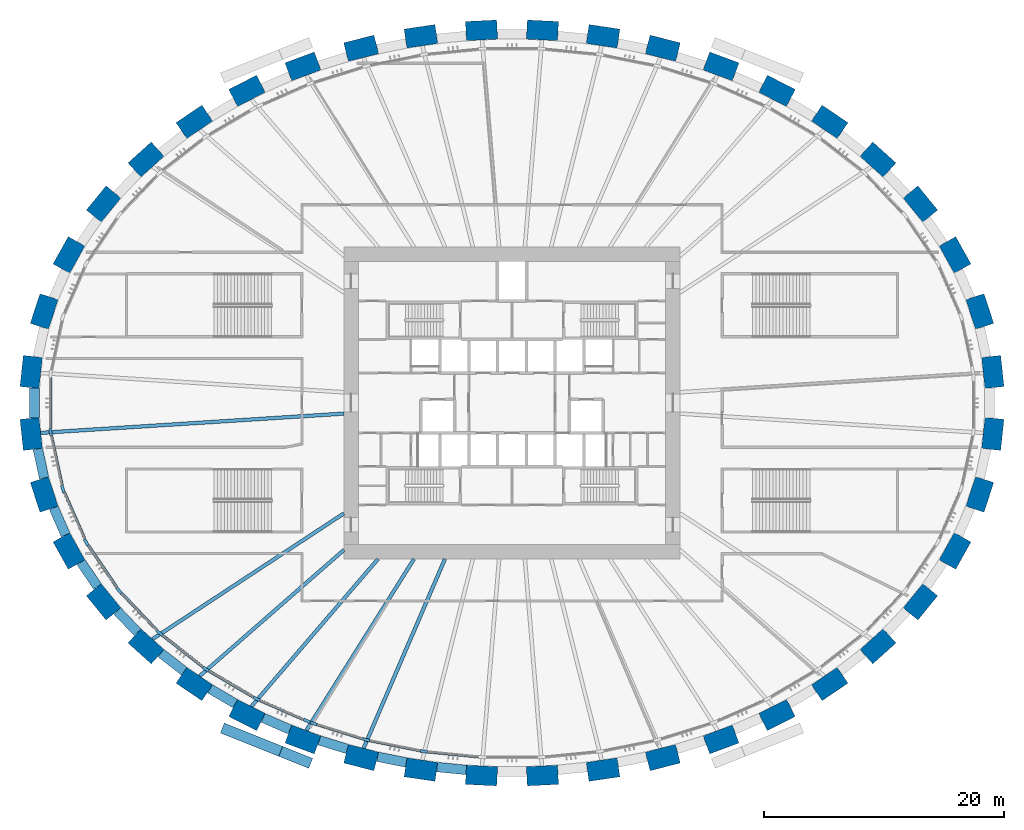
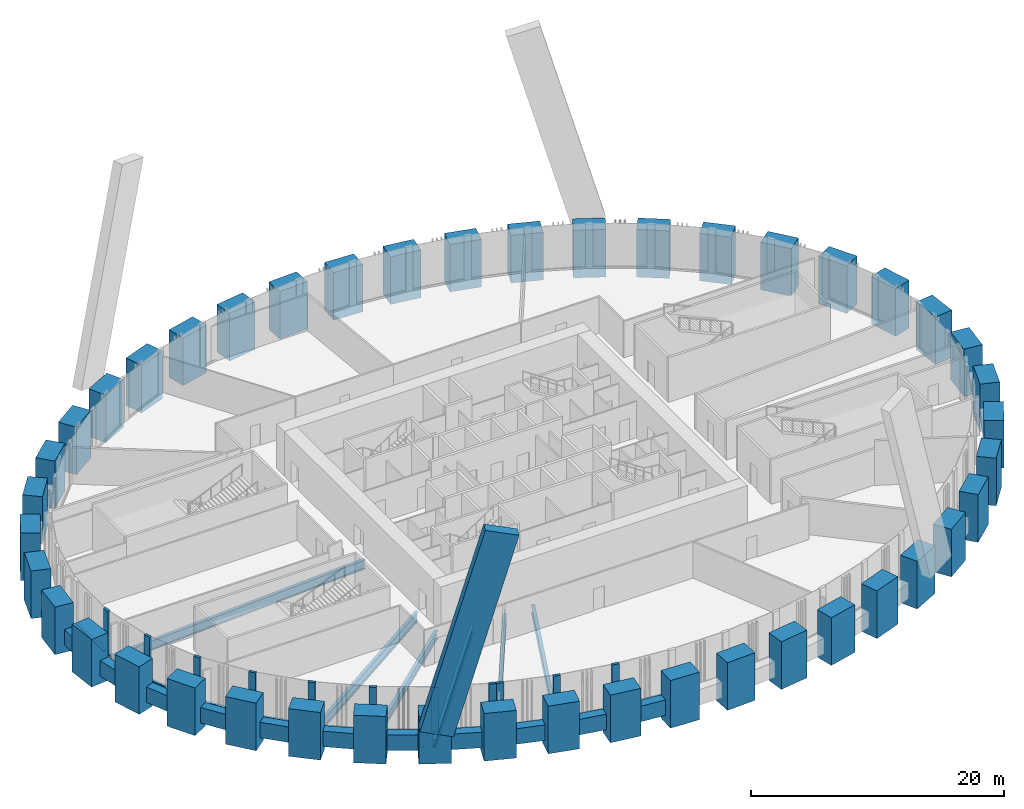
# One storey, part 1 of 21: 44 columns, 23 members, 17 beams, 2 elements without a shape of their own.
"""IFC4 building model written with IfcOpenShell, lengths in metres."""

from ifc_helpers import new_model, si_unit, direction, frame, origin, origin_2d, place, context, subcontext, project, spatial, rectangle, i_section, extrude, source, transform, mapped, material, material_profile, profile_set, type_object, element, aggregate, save


model = new_model("IFC4")

# Units and contexts
model_context = context("Model", 3, precision=1e-05, world=origin(), true_north=direction((0.0, 1.0)))
body_context = subcontext(model_context, "Body", "Model", "MODEL_VIEW")
ifc_project = project(units=[si_unit("LENGTHUNIT", "METRE"), si_unit("AREAUNIT", "SQUARE_METRE"), si_unit("VOLUMEUNIT", "CUBIC_METRE"), si_unit("PLANEANGLEUNIT", "RADIAN"), si_unit("MASSUNIT", "GRAM", prefix="KILO")], contexts=[model_context])

# Site, building, storey
site_placement = place(None, origin())
site = spatial("IfcSite", under=ifc_project, at=site_placement, CompositionType="ELEMENT")
building_placement = place(site_placement, origin())
building = spatial("IfcBuilding", under=site, at=building_placement, Name="Embergate Tower", CompositionType="ELEMENT")
storey_placement = place(building_placement, frame((0.0, 0.0, 33.5)))
storey = spatial("IfcBuildingStorey", under=building, at=storey_placement, Name="L04", CompositionType="ELEMENT", Elevation=33.5)

# Columns
ifc_material_1 = material(Name="Concrete C70", Category="concrete")
ifc_material_profile_1 = material_profile(ifc_material_1, rectangle(XDim=1.60009765625, YDim=2.60009765625, at=origin_2d()), Name="RC 1600x2600")
ifc_profile_set_1 = profile_set([ifc_material_profile_1], Name="Concrete C70")
column_type = type_object("IfcColumnType", Name="Ring column RC 1600x2600 C70", PredefinedType="COLUMN", material=ifc_profile_set_1)
shared_shape_1 = source(origin(), body_context, "Body", "SweptSolid", [
    extrude(rectangle(XDim=1.60009765625, YDim=2.60009765625, at=origin_2d()), origin(), (0.0, 0.0, 1.0), 4.60009765625),
])
for number, where, z_axis, x_axis, name in (
    (1, (40.054931640625, 2.5791015625, -1.5), (0.0, 0.0, 1.0), (0.994287757967, 0.106732630237, 0.0), "COL-L04-00"),
    (2, (38.969970703125, 7.618896484375, -1.5), (0.0, 0.0, 1.0), (0.950754033697, 0.309946394413, 0.0), "COL-L04-01"),
    (3, (36.905029296875, 12.330078125, -1.5), (0.0, 0.0, 1.0), (0.873500465855, 0.486823311018, 0.0), "COL-L04-02"),
    (4, (34.02001953125, 16.572021484375, -1.5), (0.0, 0.0, 1.0), (0.775925311702, 0.630824786022, 0.0), "COL-L04-03"),
    (5, (30.489013671875, 20.27490234375, -1.5), (0.0, 0.0, 1.0), (0.669221393633, 0.743063070206, 0.0), "COL-L04-04"),
    (6, (26.466064453125, 23.416015625, -1.5), (0.0, 0.0, 1.0), (0.560407734638, 0.828216862275, 0.0), "COL-L04-05"),
    (7, (22.074951171875, 25.998046875, -1.5), (0.0, 0.0, 1.0), (0.453010512651, 0.891505174089, 0.0), "COL-L04-06"),
    (8, (17.4150390625, 28.035888671875, -1.5), (0.0, 0.0, 1.0), (0.348343015724, 0.93736713373, 0.0), "COL-L04-07"),
    (9, (12.56396484375, 29.5458984375, -1.5), (0.0, 0.0, 1.0), (0.24650851817, 0.969140624713, 0.0), "COL-L04-08"),
    (10, (7.5869140625, 30.544921875, -1.5), (0.0, 0.0, 1.0), (0.146929011949, 0.989147039346, 0.0), "COL-L04-09"),
    (11, (2.537109375, 31.041015625, -1.5), (0.0, 0.0, 1.0), (0.048814904854, 0.998807841912, 0.0), "COL-L04-10"),
    (12, (-2.537109375, 31.041015625, -1.5), (0.0, 0.0, 1.0), (-0.048814904854, 0.998807841912, 0.0), "COL-L04-11"),
    (13, (-7.5869140625, 30.544921875, -1.5), (0.0, 0.0, 1.0), (-0.146929011949, 0.989147039346, 0.0), "COL-L04-12"),
    (14, (-12.56396484375, 29.5458984375, -1.5), (0.0, 0.0, 1.0), (-0.24650851817, 0.969140624713, 0.0), "COL-L04-13"),
    (15, (-17.4150390625, 28.035888671875, -1.5), (0.0, 0.0, 1.0), (-0.348343015724, 0.93736713373, 0.0), "COL-L04-14"),
    (16, (-22.074951171875, 25.998046875, -1.5), (0.0, 0.0, 1.0), (-0.453010512651, 0.891505174089, 0.0), "COL-L04-15"),
    (17, (-26.466064453125, 23.416015625, -1.5), (0.0, 0.0, 1.0), (-0.560407734638, 0.828216862275, 0.0), "COL-L04-16"),
    (18, (-30.489013671875, 20.27490234375, -1.5), (0.0, 0.0, 1.0), (-0.669221393633, 0.743063070206, 0.0), "COL-L04-17"),
    (19, (-34.02001953125, 16.572021484375, -1.5), (0.0, 0.0, 1.0), (-0.775925311702, 0.630824786022, 0.0), "COL-L04-18"),
    (20, (-36.905029296875, 12.330078125, -1.5), (0.0, 0.0, 1.0), (-0.873500465855, 0.486823311018, 0.0), "COL-L04-19"),
    (21, (-38.969970703125, 7.618896484375, -1.5), (0.0, 0.0, 1.0), (-0.950754033697, 0.309946394413, 0.0), "COL-L04-20"),
    (22, (-40.054931640625, 2.5791015625, -1.5), (0.0, 0.0, 1.0), (-0.994287757967, 0.106732630237, 0.0), "COL-L04-21"),
    (23, (-40.054931640625, -2.5791015625, -1.5), (0.0, 0.0, 1.0), (-0.994287757967, -0.106732630237, 0.0), "COL-L04-22"),
    (24, (-38.969970703125, -7.618896484375, -1.5), (0.0, 0.0, 1.0), (-0.950754033697, -0.309946394413, 0.0), "COL-L04-23"),
    (25, (-36.905029296875, -12.330078125, -1.5), (0.0, 0.0, 1.0), (-0.873500465855, -0.486823311018, 0.0), "COL-L04-24"),
    (26, (-34.02001953125, -16.572021484375, -1.5), (0.0, 0.0, 1.0), (-0.775925311702, -0.630824786022, 0.0), "COL-L04-25"),
    (27, (-30.489013671875, -20.27490234375, -1.5), (0.0, 0.0, 1.0), (-0.669221393633, -0.743063070206, 0.0), "COL-L04-26"),
    (28, (-26.466064453125, -23.416015625, -1.5), (0.0, 0.0, 1.0), (-0.560407734638, -0.828216862275, 0.0), "COL-L04-27"),
    (29, (-22.074951171875, -25.998046875, -1.5), (0.0, 0.0, 1.0), (-0.453010512651, -0.891505174089, 0.0), "COL-L04-28"),
    (30, (-17.4150390625, -28.035888671875, -1.5), (0.0, 0.0, 1.0), (-0.348343015724, -0.93736713373, 0.0), "COL-L04-29"),
    (31, (-12.56396484375, -29.5458984375, -1.5), (0.0, 0.0, 1.0), (-0.24650851817, -0.969140624713, 0.0), "COL-L04-30"),
    (32, (-7.5869140625, -30.544921875, -1.5), (0.0, 0.0, 1.0), (-0.146929011949, -0.989147039346, 0.0), "COL-L04-31"),
    (33, (-2.537109375, -31.041015625, -1.5), (0.0, 0.0, 1.0), (-0.048814904854, -0.998807841912, 0.0), "COL-L04-32"),
    (34, (2.537109375, -31.041015625, -1.5), (0.0, 0.0, 1.0), (0.048814904854, -0.998807841912, 0.0), "COL-L04-33"),
    (35, (7.5869140625, -30.544921875, -1.5), (0.0, 0.0, 1.0), (0.146929011949, -0.989147039346, 0.0), "COL-L04-34"),
    (36, (12.56396484375, -29.5458984375, -1.5), (0.0, 0.0, 1.0), (0.24650851817, -0.969140624713, 0.0), "COL-L04-35"),
    (37, (17.4150390625, -28.035888671875, -1.5), (0.0, 0.0, 1.0), (0.348343015724, -0.93736713373, 0.0), "COL-L04-36"),
    (38, (22.074951171875, -25.998046875, -1.5), (0.0, 0.0, 1.0), (0.453010512651, -0.891505174089, 0.0), "COL-L04-37"),
    (39, (26.466064453125, -23.416015625, -1.5), (0.0, 0.0, 1.0), (0.560407734638, -0.828216862275, 0.0), "COL-L04-38"),
    (40, (30.489013671875, -20.27490234375, -1.5), (0.0, 0.0, 1.0), (0.669221393633, -0.743063070206, 0.0), "COL-L04-39"),
    (41, (34.02001953125, -16.572021484375, -1.5), (0.0, 0.0, 1.0), (0.775925311702, -0.630824786022, 0.0), "COL-L04-40"),
    (42, (36.905029296875, -12.330078125, -1.5), (0.0, 0.0, 1.0), (0.873500465855, -0.486823311018, 0.0), "COL-L04-41"),
    (43, (38.969970703125, -7.618896484375, -1.5), (0.0, 0.0, 1.0), (0.950754033697, -0.309946394413, 0.0), "COL-L04-42"),
    (44, (40.054931640625, -2.5791015625, -1.5), (0.0, 0.0, 1.0), (0.994287757967, -0.106732630237, 0.0), "COL-L04-43"),
):
    element("IfcColumn", number, at=place(storey_placement, frame(where, z_axis=z_axis, x_axis=x_axis)), inside=storey, type_object=column_type, Name=name, PredefinedType="COLUMN", context=body_context, shape_type="MappedRepresentation", body=[
        mapped(shared_shape_1, transform((0.0, 0.0, 0.0))),
    ])

# Beams
ifc_material_profile_2 = material_profile(ifc_material_1, rectangle(XDim=0.800048828125, YDim=1.5, at=origin_2d()), Name="RC 800x1500")
ifc_profile_set_2 = profile_set([ifc_material_profile_2], Name="Concrete C70")
beam_type_1 = type_object("IfcBeamType", Name="Spandrel beam RC 800x1500 C70", PredefinedType="BEAM", material=ifc_profile_set_2)
shared_shape_2 = source(origin(), body_context, "Body", "SweptSolid", [
    extrude(rectangle(XDim=0.800048828125, YDim=1.5, at=origin_2d()), origin(), (0.0, 0.0, 1.0), 2.4833984375),
])
beam_1_placement = place(storey_placement, frame((-39.50390625, -3.826904296875, 0.0), z_axis=(0.210180265882, -0.977662649299, 0.0), x_axis=(0.977662649299, 0.210180265882, 0.0)))
element("IfcBeam", 45, at=beam_1_placement, inside=storey, type_object=beam_type_1, Name="SPN-L04-22", PredefinedType="BEAM", context=body_context, shape_type="MappedRepresentation", body=[
    mapped(shared_shape_2, transform((0.0, 0.0, 0.0))),
])
shared_shape_3 = source(origin(), body_context, "Body", "SweptSolid", [
    extrude(rectangle(XDim=0.800048828125, YDim=1.5, at=origin_2d()), origin(), (0.0, 0.0, 1.0), 2.478515625),
])
beam_2_placement = place(storey_placement, frame((-38.181884765625, -8.72900390625, 0.0), z_axis=(0.40140784331, -0.915899417692, 0.0), x_axis=(0.915899417692, 0.40140784331, 0.0)))
element("IfcBeam", 46, at=beam_2_placement, inside=storey, type_object=beam_type_1, Name="SPN-L04-23", PredefinedType="BEAM", context=body_context, shape_type="MappedRepresentation", body=[
    mapped(shared_shape_3, transform((0.0, 0.0, 0.0))),
])
shared_shape_4 = source(origin(), body_context, "Body", "SweptSolid", [
    extrude(rectangle(XDim=0.800048828125, YDim=1.5, at=origin_2d()), origin(), (0.0, 0.0, 1.0), 2.46875),
])
beam_3_placement = place(storey_placement, frame((-35.910888671875, -13.263916015625, 0.0), z_axis=(0.562594003895, -0.826733322651, 0.0), x_axis=(0.826733322651, 0.562594003895, 0.0)))
element("IfcBeam", 47, at=beam_3_placement, inside=storey, type_object=beam_type_1, Name="SPN-L04-24", PredefinedType="BEAM", context=body_context, shape_type="MappedRepresentation", body=[
    mapped(shared_shape_4, transform((0.0, 0.0, 0.0))),
])
shared_shape_5 = source(origin(), body_context, "Body", "SweptSolid", [
    extrude(rectangle(XDim=0.800048828125, YDim=1.5, at=origin_2d()), origin(), (0.0, 0.0, 1.0), 2.462890625),
])
beam_4_placement = place(storey_placement, frame((-32.887939453125, -17.326904296875, 0.0), z_axis=(0.689801191863, -0.723998836811, 0.0), x_axis=(0.723998836811, 0.689801191863, 0.0)))
element("IfcBeam", 48, at=beam_4_placement, inside=storey, type_object=beam_type_1, Name="SPN-L04-25", PredefinedType="BEAM", context=body_context, shape_type="MappedRepresentation", body=[
    mapped(shared_shape_5, transform((0.0, 0.0, 0.0))),
])
shared_shape_6 = source(origin(), body_context, "Body", "SweptSolid", [
    extrude(rectangle(XDim=0.800048828125, YDim=1.5, at=origin_2d()), origin(), (0.0, 0.0, 1.0), 2.45361328125),
])
beam_5_placement = place(storey_placement, frame((-29.248046875, -20.840087890625, 0.0), z_axis=(0.788220432828, -0.615393003919, 0.0), x_axis=(0.615393003919, 0.788220432828, 0.0)))
element("IfcBeam", 49, at=beam_5_placement, inside=storey, type_object=beam_type_1, Name="SPN-L04-26", PredefinedType="BEAM", context=body_context, shape_type="MappedRepresentation", body=[
    mapped(shared_shape_6, transform((0.0, 0.0, 0.0))),
])
shared_shape_7 = source(origin(), body_context, "Body", "SweptSolid", [
    extrude(rectangle(XDim=0.800048828125, YDim=1.5, at=origin_2d()), origin(), (0.0, 0.0, 1.0), 2.44873046875),
])
beam_6_placement = place(storey_placement, frame((-25.1640625, -23.81201171875, 0.0), z_axis=(0.862085389166, -0.506763043036, 0.0), x_axis=(0.506763043036, 0.862085389166, 0.0)))
element("IfcBeam", 50, at=beam_6_placement, inside=storey, type_object=beam_type_1, Name="SPN-L04-27", PredefinedType="BEAM", context=body_context, shape_type="MappedRepresentation", body=[
    mapped(shared_shape_7, transform((0.0, 0.0, 0.0))),
])
shared_shape_8 = source(origin(), body_context, "Body", "SweptSolid", [
    extrude(rectangle(XDim=0.800048828125, YDim=1.5, at=origin_2d()), origin(), (0.0, 0.0, 1.0), 2.445068359375),
])
beam_7_placement = place(storey_placement, frame((-20.737060546875, -26.235107421875, 0.0), z_axis=(0.916159626616, -0.400813595775, 0.0), x_axis=(0.400813595775, 0.916159626616, 0.0)))
element("IfcBeam", 51, at=beam_7_placement, inside=storey, type_object=beam_type_1, Name="SPN-L04-28", PredefinedType="BEAM", context=body_context, shape_type="MappedRepresentation", body=[
    mapped(shared_shape_8, transform((0.0, 0.0, 0.0))),
])
shared_shape_9 = source(origin(), body_context, "Body", "SweptSolid", [
    extrude(rectangle(XDim=0.800048828125, YDim=1.5, at=origin_2d()), origin(), (0.0, 0.0, 1.0), 2.441162109375),
])
beam_8_placement = place(storey_placement, frame((-16.053955078125, -28.10498046875, 0.0), z_axis=(0.954870643943, -0.297021974499, 0.0), x_axis=(0.297021974499, 0.954870643943, 0.0)))
element("IfcBeam", 52, at=beam_8_placement, inside=storey, type_object=beam_type_1, Name="SPN-L04-29", PredefinedType="BEAM", context=body_context, shape_type="MappedRepresentation", body=[
    mapped(shared_shape_9, transform((0.0, 0.0, 0.0))),
])
shared_shape_10 = source(origin(), body_context, "Body", "SweptSolid", [
    extrude(rectangle(XDim=0.800048828125, YDim=1.5, at=origin_2d()), origin(), (0.0, 0.0, 1.0), 2.438720703125),
])
beam_9_placement = place(storey_placement, frame((-11.2041015625, -29.472900390625, 0.0), z_axis=(0.980441821955, -0.19680913028, 0.0), x_axis=(0.19680913028, 0.980441821955, 0.0)))
element("IfcBeam", 53, at=beam_9_placement, inside=storey, type_object=beam_type_1, Name="SPN-L04-30", PredefinedType="BEAM", context=body_context, shape_type="MappedRepresentation", body=[
    mapped(shared_shape_10, transform((0.0, 0.0, 0.0))),
])
shared_shape_11 = source(origin(), body_context, "Body", "SweptSolid", [
    extrude(rectangle(XDim=0.800048828125, YDim=1.5, at=origin_2d()), origin(), (0.0, 0.0, 1.0), 2.437744140625),
])
beam_10_placement = place(storey_placement, frame((-6.241943359375, -30.3359375, 0.0), z_axis=(0.995181884191, -0.098045996239, 0.0), x_axis=(0.098045996239, 0.995181884191, 0.0)))
element("IfcBeam", 54, at=beam_10_placement, inside=storey, type_object=beam_type_1, Name="SPN-L04-31", PredefinedType="BEAM", context=body_context, shape_type="MappedRepresentation", body=[
    mapped(shared_shape_11, transform((0.0, 0.0, 0.0))),
])
shared_shape_12 = source(origin(), body_context, "Body", "SweptSolid", [
    extrude(rectangle(XDim=0.800048828125, YDim=1.5, at=origin_2d()), origin(), (0.0, 0.0, 1.0), 2.48388671875),
])
beam_11_placement = place(storey_placement, frame((-39.780029296875, 1.241943359375, 0.0), z_axis=(0.0, -1.0, 0.0), x_axis=(1.0, 0.0, 0.0)))
element("IfcBeam", 55, at=beam_11_placement, inside=storey, type_object=beam_type_1, Name="SPN-L04-21", PredefinedType="BEAM", context=body_context, shape_type="MappedRepresentation", body=[
    mapped(shared_shape_12, transform((0.0, 0.0, 0.0))),
])
ifc_material_2 = material(Name="Steel Q355B", Category="steel")
ifc_material_profile_3 = material_profile(ifc_material_2, i_section(OverallWidth=0.300048828125, OverallDepth=0.89990234375, WebThickness=0.01611328125, FlangeThickness=0.028076171875, FilletRadius=0.028076171875, at=origin_2d()), Name="HN 900x300x16x28")
ifc_profile_set_3 = profile_set([ifc_material_profile_3], Name="Steel Q355 grade B")
beam_type_2 = type_object("IfcBeamType", Name="Radial girder HN 900x300x16x28", PredefinedType="BEAM", material=ifc_profile_set_3)
shared_shape_13 = source(origin(), body_context, "Body", "SweptSolid", [
    extrude(i_section(OverallWidth=0.300048828125, OverallDepth=0.89990234375, WebThickness=0.01611328125, FlangeThickness=0.028076171875, FilletRadius=0.028076171875, at=origin_2d()), origin(), (0.0, 0.0, 1.0), 25.31103515625),
])
beam_12_placement = place(storey_placement, frame((-39.260009765625, -2.493896484375, -0.75), z_axis=(0.997987527614, 0.063410525362, 0.0), x_axis=(-0.063410525362, 0.997987527614, 0.0)))
element("IfcBeam", 56, at=beam_12_placement, inside=storey, type_object=beam_type_2, Name="GIR-L04-22", PredefinedType="BEAM", context=body_context, shape_type="MappedRepresentation", body=[
    mapped(shared_shape_13, transform((0.0, 0.0, 0.0))),
])
shared_shape_14 = source(origin(), body_context, "Body", "SweptSolid", [
    extrude(i_section(OverallWidth=0.300048828125, OverallDepth=0.89990234375, WebThickness=0.01611328125, FlangeThickness=0.028076171875, FilletRadius=0.028076171875, at=origin_2d()), origin(), (0.0, 0.0, 1.0), 19.08984375),
])
beam_13_placement = place(storey_placement, frame((-29.9541015625, -19.680908203125, -0.75), z_axis=(0.835734658409, 0.54913348171, 0.0), x_axis=(-0.54913348171, 0.835734658409, 0.0)))
element("IfcBeam", 57, at=beam_13_placement, inside=storey, type_object=beam_type_2, Name="GIR-L04-26", PredefinedType="BEAM", context=body_context, shape_type="MappedRepresentation", body=[
    mapped(shared_shape_14, transform((0.0, 0.0, 0.0))),
])
ifc_material_profile_4 = material_profile(ifc_material_2, i_section(OverallWidth=0.300048828125, OverallDepth=0.800048828125, WebThickness=0.013916015625, FlangeThickness=0.02587890625, FilletRadius=0.028076171875, at=origin_2d()), Name="HN 800x300x14x26")
ifc_profile_set_4 = profile_set([ifc_material_profile_4], Name="Steel Q355 grade B")
beam_type_3 = type_object("IfcBeamType", Name="Radial girder HN 800x300x14x26", PredefinedType="BEAM", material=ifc_profile_set_4)
shared_shape_15 = source(origin(), body_context, "Body", "SweptSolid", [
    extrude(i_section(OverallWidth=0.300048828125, OverallDepth=0.800048828125, WebThickness=0.013916015625, FlangeThickness=0.02587890625, FilletRadius=0.028076171875, at=origin_2d()), origin(), (0.0, 0.0, 1.0), 15.96484375),
])
beam_14_placement = place(storey_placement, frame((-26.01806640625, -22.7529296875, -0.699951171875), z_axis=(0.752786961576, 0.65826422543, 0.0), x_axis=(-0.65826422543, 0.752786961576, 0.0)))
element("IfcBeam", 58, at=beam_14_placement, inside=storey, type_object=beam_type_3, Name="GIR-L04-27", PredefinedType="BEAM", context=body_context, shape_type="MappedRepresentation", body=[
    mapped(shared_shape_15, transform((0.0, 0.0, 0.0))),
])
shared_shape_16 = source(origin(), body_context, "Body", "SweptSolid", [
    extrude(i_section(OverallWidth=0.300048828125, OverallDepth=0.800048828125, WebThickness=0.013916015625, FlangeThickness=0.02587890625, FilletRadius=0.028076171875, at=origin_2d()), origin(), (0.0, 0.0, 1.0), 16.193115234375),
])
beam_15_placement = place(storey_placement, frame((-21.712890625, -25.284912109375, -0.699951171875), z_axis=(0.651498813606, 0.758649652916, 0.0), x_axis=(-0.758649652916, 0.651498813606, 0.0)))
element("IfcBeam", 59, at=beam_15_placement, inside=storey, type_object=beam_type_3, Name="GIR-L04-28", PredefinedType="BEAM", context=body_context, shape_type="MappedRepresentation", body=[
    mapped(shared_shape_16, transform((0.0, 0.0, 0.0))),
])
shared_shape_17 = source(origin(), body_context, "Body", "SweptSolid", [
    extrude(i_section(OverallWidth=0.300048828125, OverallDepth=0.800048828125, WebThickness=0.013916015625, FlangeThickness=0.02587890625, FilletRadius=0.028076171875, at=origin_2d()), origin(), (0.0, 0.0, 1.0), 16.86962890625),
])
beam_16_placement = place(storey_placement, frame((-17.135986328125, -27.285888671875, -0.699951171875), z_axis=(0.531841030779, 0.846844211163, 0.0), x_axis=(-0.846844211163, 0.531841030779, 0.0)))
element("IfcBeam", 60, at=beam_16_placement, inside=storey, type_object=beam_type_3, Name="GIR-L04-29", PredefinedType="BEAM", context=body_context, shape_type="MappedRepresentation", body=[
    mapped(shared_shape_17, transform((0.0, 0.0, 0.0))),
])
shared_shape_18 = source(origin(), body_context, "Body", "SweptSolid", [
    extrude(i_section(OverallWidth=0.300048828125, OverallDepth=0.800048828125, WebThickness=0.013916015625, FlangeThickness=0.02587890625, FilletRadius=0.028076171875, at=origin_2d()), origin(), (0.0, 0.0, 1.0), 17.166259765625),
])
beam_17_placement = place(storey_placement, frame((-12.366943359375, -28.77099609375, -0.699951171875), z_axis=(0.394906038648, 0.918721514192, 0.0), x_axis=(-0.918721514192, 0.394906038648, 0.0)))
element("IfcBeam", 61, at=beam_17_placement, inside=storey, type_object=beam_type_3, Name="GIR-L04-30", PredefinedType="BEAM", context=body_context, shape_type="MappedRepresentation", body=[
    mapped(shared_shape_18, transform((0.0, 0.0, 0.0))),
])

# Member
ifc_material_profile_5 = material_profile(ifc_material_1, rectangle(XDim=0.89990234375, YDim=2.800048828125, at=origin_2d()), Name="RC 900x2800")
ifc_profile_set_5 = profile_set([ifc_material_profile_5], Name="Concrete C70")
member_type_1 = type_object("IfcMemberType", Name="Lattice diagonal terracotta-faced RC 900x2800", PredefinedType="BRACE", material=ifc_profile_set_5)
shared_shape_19 = source(origin(), body_context, "Body", "SweptSolid", [
    extrude(rectangle(XDim=0.89990234375, YDim=2.800048828125, at=origin_2d()), origin(), (0.0, 0.0, 1.0), 19.657958984375),
])
member_1_placement = place(storey_placement, frame((-22.881103515625, -27.583984375, 2.339111328125), z_axis=(0.24748310036, -0.098946046097, 0.963826641569), x_axis=(0.371238026102, 0.928537736431, 0.0)))
element("IfcMember", 62, at=member_1_placement, inside=storey, type_object=member_type_1, Name="BRP-S-0-01", PredefinedType="BRACE", context=body_context, shape_type="MappedRepresentation", body=[
    mapped(shared_shape_19, transform((0.0, 0.0, 0.0))),
])

# Curtain wall, members
ifc_material_3 = material(Name="Aluminium and glass", Category="aluminium")
curtain_wall_type = type_object("IfcCurtainWallType", Name="Podium base glazing", PredefinedType="NOTDEFINED", material=ifc_material_3)
curtain_wall_1_placement = place(storey_placement, origin())
curtain_wall_1 = element("IfcCurtainWall", 63, at=curtain_wall_1_placement, inside=storey, type_object=curtain_wall_type, Name="Podium base glazing run 2", ObjectType="PODIUM BASE GLAZING", PredefinedType="USERDEFINED")
ifc_material_4 = material(Name="Aluminium, thermally broken", Category="aluminium")
ifc_material_profile_6 = material_profile(ifc_material_4, rectangle(XDim=0.239990234375, YDim=0.60009765625, at=origin_2d()), Name="AL 600x240")
ifc_profile_set_6 = profile_set([ifc_material_profile_6], Name="Aluminium, thermally broken")
member_type_2 = type_object("IfcMemberType", Name="Base mullion", PredefinedType="MULLION", material=ifc_profile_set_6)
shared_shape_20 = source(origin(), body_context, "Body", "SweptSolid", [
    extrude(rectangle(XDim=0.239990234375, YDim=0.60009765625, at=origin_2d()), origin(), (0.0, 0.0, 1.0), 4.300048828125),
])
member_2_placement = place(storey_placement, frame((-38.440185546875, -2.423583984375, 0.0), z_axis=(0.0, 0.0, 1.0), x_axis=(0.994384770038, 0.105824992874, 0.0)))
member_2 = element("IfcMember", 64, at=member_2_placement, type_object=member_type_2, Name="CW mullion 8", PredefinedType="MULLION", context=body_context, shape_type="MappedRepresentation", body=[
    mapped(shared_shape_20, transform((0.0, 0.0, 0.0))),
])
member_3_placement = place(storey_placement, frame((-37.419677734375, -7.1650390625, 0.0), z_axis=(0.0, 0.0, 1.0), x_axis=(0.951496724066, 0.307658876178, 0.0)))
member_3 = element("IfcMember", 65, at=member_3_placement, type_object=member_type_2, Name="CW mullion 9", PredefinedType="MULLION", context=body_context, shape_type="MappedRepresentation", body=[
    mapped(shared_shape_20, transform((0.0, 0.0, 0.0))),
])
member_4_placement = place(storey_placement, frame((-35.468505859375, -11.613525390625, 0.0), z_axis=(0.0, 0.0, 1.0), x_axis=(0.874999360976, 0.484124073241, 0.0)))
member_4 = element("IfcMember", 66, at=member_4_placement, type_object=member_type_2, Name="CW mullion 10", PredefinedType="MULLION", context=body_context, shape_type="MappedRepresentation", body=[
    mapped(shared_shape_20, transform((0.0, 0.0, 0.0))),
])
member_5_placement = place(storey_placement, frame((-32.731689453125, -15.637939453125, 0.0), z_axis=(0.0, 0.0, 1.0), x_axis=(0.777869273934, 0.628426123477, 0.0)))
member_5 = element("IfcMember", 67, at=member_5_placement, type_object=member_type_2, Name="CW mullion 11", PredefinedType="MULLION", context=body_context, shape_type="MappedRepresentation", body=[
    mapped(shared_shape_20, transform((0.0, 0.0, 0.0))),
])
member_6_placement = place(storey_placement, frame((-29.366455078125, -19.166748046875, 0.0), z_axis=(0.0, 0.0, 1.0), x_axis=(0.671222652759, 0.741255792843, 0.0)))
member_6 = element("IfcMember", 68, at=member_6_placement, type_object=member_type_2, Name="CW mullion 12", PredefinedType="MULLION", context=body_context, shape_type="MappedRepresentation", body=[
    mapped(shared_shape_20, transform((0.0, 0.0, 0.0))),
])
member_7_placement = place(storey_placement, frame((-25.51611328125, -22.171875, 0.0), z_axis=(0.0, 0.0, 1.0), x_axis=(0.56221328843, 0.826992272221, 0.0)))
member_7 = element("IfcMember", 69, at=member_7_placement, type_object=member_type_2, Name="CW mullion 13", PredefinedType="MULLION", context=body_context, shape_type="MappedRepresentation", body=[
    mapped(shared_shape_20, transform((0.0, 0.0, 0.0))),
])
member_8_placement = place(storey_placement, frame((-21.2998046875, -24.650634765625, 0.0), z_axis=(0.0, 0.0, 1.0), x_axis=(0.454506716612, 0.890743310138, 0.0)))
member_8 = element("IfcMember", 70, at=member_8_placement, type_object=member_type_2, Name="CW mullion 14", PredefinedType="MULLION", context=body_context, shape_type="MappedRepresentation", body=[
    mapped(shared_shape_20, transform((0.0, 0.0, 0.0))),
])
member_9_placement = place(storey_placement, frame((-17.08935546875, -26.49169921875, 0.0), z_axis=(0.0, 0.0, 1.0), x_axis=(0.400636896638, 0.916236910986, 0.0)))
member_9 = element("IfcMember", 71, at=member_9_placement, type_object=member_type_2, Name="CW mullion 15", PredefinedType="MULLION", context=body_context, shape_type="MappedRepresentation", body=[
    mapped(shared_shape_20, transform((0.0, 0.0, 0.0))),
])

curtain_wall_2_placement = place(storey_placement, origin())
curtain_wall_2 = element("IfcCurtainWall", 72, at=curtain_wall_2_placement, inside=storey, type_object=curtain_wall_type, Name="Podium base glazing run 3", ObjectType="PODIUM BASE GLAZING", PredefinedType="USERDEFINED")
member_10_placement = place(storey_placement, frame((-16.528076171875, -26.701171875, 0.0), z_axis=(0.0, 0.0, 1.0), x_axis=(0.297336547283, 0.954772736126, 0.0)))
member_10 = element("IfcMember", 73, at=member_10_placement, type_object=member_type_2, Name="CW mullion 1", PredefinedType="MULLION", context=body_context, shape_type="MappedRepresentation", body=[
    mapped(shared_shape_20, transform((0.0, 0.0, 0.0))),
])
member_11_placement = place(storey_placement, frame((-12.13671875, -28.068603515625, 0.0), z_axis=(0.0, 0.0, 1.0), x_axis=(0.247310190257, 0.968936360034, 0.0)))
member_11 = element("IfcMember", 74, at=member_11_placement, type_object=member_type_2, Name="CW mullion 2", PredefinedType="MULLION", context=body_context, shape_type="MappedRepresentation", body=[
    mapped(shared_shape_20, transform((0.0, 0.0, 0.0))),
])
member_12_placement = place(storey_placement, frame((-7.3310546875, -29.032470703125, 0.0), z_axis=(0.0, 0.0, 1.0), x_axis=(0.147410656556, 0.989075375456, 0.0)))
member_12 = element("IfcMember", 75, at=member_12_placement, type_object=member_type_2, Name="CW mullion 3", PredefinedType="MULLION", context=body_context, shape_type="MappedRepresentation", body=[
    mapped(shared_shape_20, transform((0.0, 0.0, 0.0))),
])

# Member
ifc_material_profile_7 = material_profile(ifc_material_4, rectangle(XDim=0.239990234375, YDim=0.159912109375, at=origin_2d()), Name="AL 160x240")
ifc_profile_set_7 = profile_set([ifc_material_profile_7], Name="Aluminium, thermally broken")
member_type_3 = type_object("IfcMemberType", Name="Base transom", PredefinedType="USERDEFINED", material=ifc_profile_set_7)
shared_shape_21 = source(origin(), body_context, "Body", "SweptSolid", [
    extrude(rectangle(XDim=0.239990234375, YDim=0.159912109375, at=origin_2d()), origin(), (0.0, 0.0, 1.0), 4.257568359375),
])
member_13_placement = place(storey_placement, frame((-37.29931640625, -7.439697265625, 0.080078125), z_axis=(0.401691025136, -0.915775256449, 0.0), x_axis=(0.915775256449, 0.401691025136, 0.0)))
member_13 = element("IfcMember", 76, at=member_13_placement, type_object=member_type_3, Name="CW transom 9.1", ObjectType="TRANSOM", PredefinedType="USERDEFINED", context=body_context, shape_type="MappedRepresentation", body=[
    mapped(shared_shape_21, transform((0.0, 0.0, 0.0))),
])

shared_shape_22 = source(origin(), body_context, "Body", "SweptSolid", [
    extrude(rectangle(XDim=0.239990234375, YDim=0.159912109375, at=origin_2d()), origin(), (0.0, 0.0, 1.0), 4.266845703125),
])
member_14_placement = place(storey_placement, frame((-35.2998046875, -11.861572265625, 0.080078125), z_axis=(0.562335061696, -0.826909474118, 0.0), x_axis=(0.826909474118, 0.562335061696, 0.0)))
member_14 = element("IfcMember", 77, at=member_14_placement, type_object=member_type_3, Name="CW transom 10.1", ObjectType="TRANSOM", PredefinedType="USERDEFINED", context=body_context, shape_type="MappedRepresentation", body=[
    mapped(shared_shape_22, transform((0.0, 0.0, 0.0))),
])

shared_shape_23 = source(origin(), body_context, "Body", "SweptSolid", [
    extrude(rectangle(XDim=0.239990234375, YDim=0.159912109375, at=origin_2d()), origin(), (0.0, 0.0, 1.0), 4.2763671875),
])
member_15_placement = place(storey_placement, frame((-32.524658203125, -15.85498046875, 0.080078125), z_axis=(0.690122622662, -0.723692452421, 0.0), x_axis=(0.723692452421, 0.690122622662, 0.0)))
member_15 = element("IfcMember", 78, at=member_15_placement, type_object=member_type_3, Name="CW transom 11.1", ObjectType="TRANSOM", PredefinedType="USERDEFINED", context=body_context, shape_type="MappedRepresentation", body=[
    mapped(shared_shape_23, transform((0.0, 0.0, 0.0))),
])

shared_shape_24 = source(origin(), body_context, "Body", "SweptSolid", [
    extrude(rectangle(XDim=0.239990234375, YDim=0.159912109375, at=origin_2d()), origin(), (0.0, 0.0, 1.0), 4.284423828125),
])
member_16_placement = place(storey_placement, frame((-29.1298828125, -19.351318359375, 0.080078125), z_axis=(0.788323198783, -0.615261354435, 0.0), x_axis=(0.615261354435, 0.788323198783, 0.0)))
member_16 = element("IfcMember", 79, at=member_16_placement, type_object=member_type_3, Name="CW transom 12.1", ObjectType="TRANSOM", PredefinedType="USERDEFINED", context=body_context, shape_type="MappedRepresentation", body=[
    mapped(shared_shape_24, transform((0.0, 0.0, 0.0))),
])

shared_shape_25 = source(origin(), body_context, "Body", "SweptSolid", [
    extrude(rectangle(XDim=0.239990234375, YDim=0.159912109375, at=origin_2d()), origin(), (0.0, 0.0, 1.0), 4.29052734375),
])
member_17_placement = place(storey_placement, frame((-25.25732421875, -22.323974609375, 0.080078125), z_axis=(0.862052674772, -0.506818691366, 0.0), x_axis=(0.506818691366, 0.862052674772, 0.0)))
member_17 = element("IfcMember", 80, at=member_17_placement, type_object=member_type_3, Name="CW transom 13.1", ObjectType="TRANSOM", PredefinedType="USERDEFINED", context=body_context, shape_type="MappedRepresentation", body=[
    mapped(shared_shape_25, transform((0.0, 0.0, 0.0))),
])

shared_shape_26 = source(origin(), body_context, "Body", "SweptSolid", [
    extrude(rectangle(XDim=0.239990234375, YDim=0.159912109375, at=origin_2d()), origin(), (0.0, 0.0, 1.0), 4.301513671875),
])
member_18_placement = place(storey_placement, frame((-11.8427734375, -28.127685546875, 0.080078125), z_axis=(0.980482318894, -0.196607279459, 0.0), x_axis=(0.196607279459, 0.980482318894, 0.0)))
member_18 = element("IfcMember", 81, at=member_18_placement, type_object=member_type_3, Name="CW transom 2.1", ObjectType="TRANSOM", PredefinedType="USERDEFINED", context=body_context, shape_type="MappedRepresentation", body=[
    mapped(shared_shape_26, transform((0.0, 0.0, 0.0))),
])

shared_shape_27 = source(origin(), body_context, "Body", "SweptSolid", [
    extrude(rectangle(XDim=0.239990234375, YDim=0.159912109375, at=origin_2d()), origin(), (0.0, 0.0, 1.0), 4.302978515625),
])
member_19_placement = place(storey_placement, frame((-7.032470703125, -29.06201171875, 0.080078125), z_axis=(0.995204295035, -0.097818255681, 0.0), x_axis=(0.097818255681, 0.995204295035, 0.0)))
member_19 = element("IfcMember", 82, at=member_19_placement, type_object=member_type_3, Name="CW transom 3.1", ObjectType="TRANSOM", PredefinedType="USERDEFINED", context=body_context, shape_type="MappedRepresentation", body=[
    mapped(shared_shape_27, transform((0.0, 0.0, 0.0))),
])

shared_shape_28 = source(origin(), body_context, "Body", "SweptSolid", [
    extrude(rectangle(XDim=0.239990234375, YDim=0.159912109375, at=origin_2d()), origin(), (0.0, 0.0, 1.0), 3.99560546875),
])
member_20_placement = place(storey_placement, frame((-21.025146484375, -24.770751953125, 0.080078125), z_axis=(0.916231643804, -0.400648942209, 0.0), x_axis=(0.400648942209, 0.916231643804, 0.0)))
member_20 = element("IfcMember", 83, at=member_20_placement, type_object=member_type_3, Name="CW transom 14.1", ObjectType="TRANSOM", PredefinedType="USERDEFINED", context=body_context, shape_type="MappedRepresentation", body=[
    mapped(shared_shape_28, transform((0.0, 0.0, 0.0))),
])

shared_shape_29 = source(origin(), body_context, "Body", "SweptSolid", [
    extrude(rectangle(XDim=0.239990234375, YDim=0.159912109375, at=origin_2d()), origin(), (0.0, 0.0, 1.0), 4.25),
])
member_21_placement = place(storey_placement, frame((-38.376953125, -2.716796875, 0.080078125), z_axis=(0.210368569025, -0.977622148463, 0.0), x_axis=(0.977622148463, 0.210368569025, 0.0)))
member_21 = element("IfcMember", 84, at=member_21_placement, type_object=member_type_3, Name="CW transom 8.1", ObjectType="TRANSOM", PredefinedType="USERDEFINED", context=body_context, shape_type="MappedRepresentation", body=[
    mapped(shared_shape_29, transform((0.0, 0.0, 0.0))),
])

shared_shape_30 = source(origin(), body_context, "Body", "SweptSolid", [
    extrude(rectangle(XDim=0.239990234375, YDim=0.159912109375, at=origin_2d()), origin(), (0.0, 0.0, 1.0), 4.2470703125),
])
member_22_placement = place(storey_placement, frame((-38.440185546875, 2.12353515625, 0.080078125), z_axis=(0.0, -1.0, 0.0), x_axis=(1.0, 0.0, 0.0)))
member_22 = element("IfcMember", 85, at=member_22_placement, type_object=member_type_3, Name="CW transom 7.1", ObjectType="TRANSOM", PredefinedType="USERDEFINED", context=body_context, shape_type="MappedRepresentation", body=[
    mapped(shared_shape_30, transform((0.0, 0.0, 0.0))),
])

aggregate(curtain_wall_1, [member_2, member_3, member_4, member_5, member_6, member_7, member_8, member_9, member_22, member_21, member_13, member_14, member_15, member_16, member_17, member_20])

shared_shape_31 = source(origin(), body_context, "Body", "SweptSolid", [
    extrude(rectangle(XDim=0.239990234375, YDim=0.159912109375, at=origin_2d()), origin(), (0.0, 0.0, 1.0), 3.9990234375),
])
member_23_placement = place(storey_placement, frame((-16.241455078125, -26.790283203125, 0.080078125), z_axis=(0.954760904824, -0.297374535929, 0.0), x_axis=(0.297374535929, 0.954760904824, 0.0)))
member_23 = element("IfcMember", 86, at=member_23_placement, type_object=member_type_3, Name="CW transom 1.1", ObjectType="TRANSOM", PredefinedType="USERDEFINED", context=body_context, shape_type="MappedRepresentation", body=[
    mapped(shared_shape_31, transform((0.0, 0.0, 0.0))),
])

aggregate(curtain_wall_2, [member_10, member_11, member_12, member_23, member_18, member_19])

save(model, "model.ifc")
